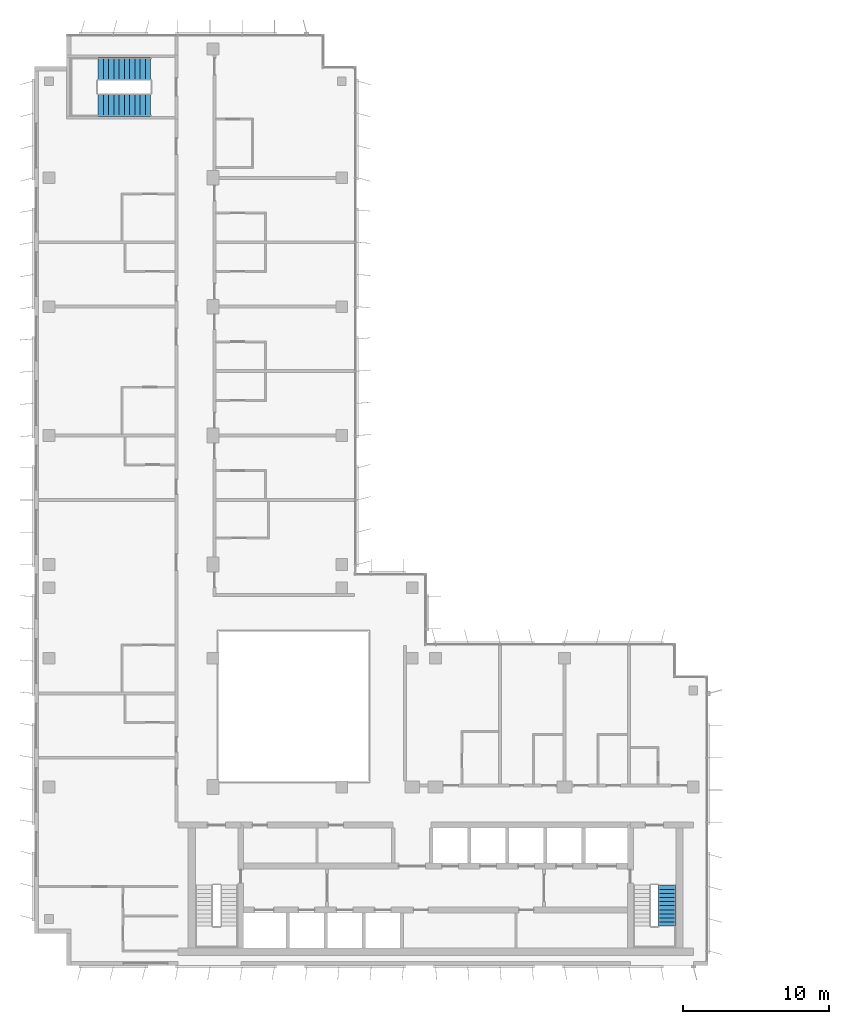
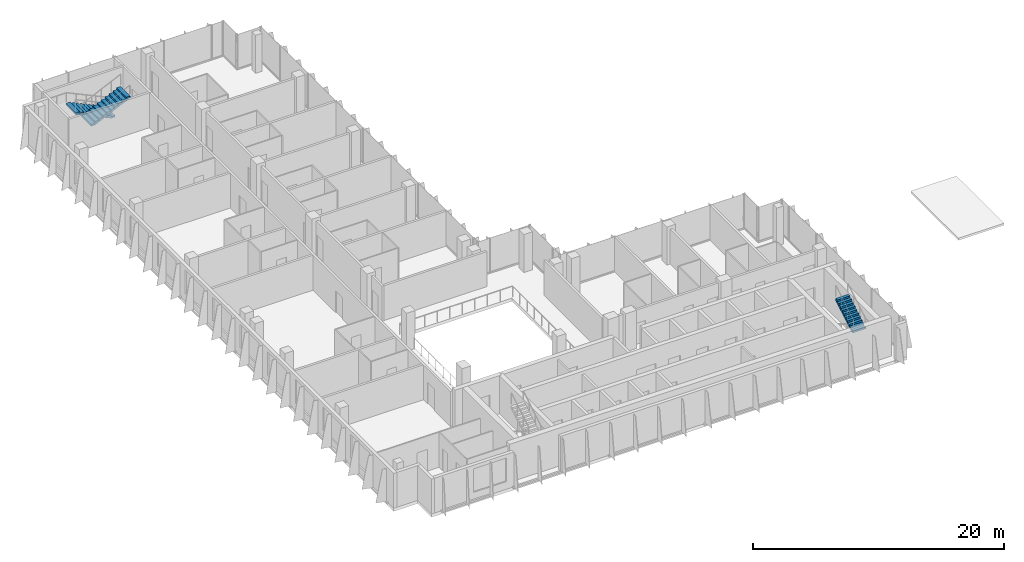
# One storey, part 14 of 17: 3 stair flights, 2 elements without a shape of their own.
"""IFC4 building model written with IfcOpenShell, lengths in metres."""

import ifcopenshell
import ifcopenshell.guid

model = None  # the IFC model being written
_history = None  # IfcOwnerHistory: only IFC2X3 demands one
_inside = {}  # id of a spatial element -> (the spatial element, [elements in it])
_under = {}  # id of a project, library or spatial element -> (it, [spatial elements below it])
_declared = {}  # id of a project -> (the project, [libraries it declares])
_typed = {}  # id of a type object -> (the type object, [elements of that type])
_made_of = {}  # id of a material, layer set ... -> (it, [elements and type objects made of it])


def new_model(schema):
    """Start an empty IFC model of exactly this schema.

    Asked for "IFC4X3", IfcOpenShell would pick the latest addendum, in which some entities
    have other attributes; the version numbers below select the first issue.
    IFC2X3 requires an IfcOwnerHistory on every rooted entity: one is made here for all.
    """
    global model, _history
    if schema == "IFC4X3":
        model = ifcopenshell.file(schema_version=(4, 3, 0, 0))
    else:
        model = ifcopenshell.file(schema=schema)
    _inside.clear()
    _under.clear()
    _declared.clear()
    _typed.clear()
    _made_of.clear()
    _history = None
    if model.schema == "IFC2X3":
        org = make("IfcOrganization", Name="unknown")
        user = make(
            "IfcPersonAndOrganization",
            ThePerson=make("IfcPerson", FamilyName="unknown"),
            TheOrganization=org,
        )
        app = make(
            "IfcApplication",
            ApplicationDeveloper=org,
            Version="unknown",
            ApplicationFullName="unknown",
            ApplicationIdentifier="unknown",
        )
        _history = make(
            "IfcOwnerHistory",
            OwningUser=user,
            OwningApplication=app,
            ChangeAction="ADDED",
            CreationDate=0,
        )
    return model


def make(cls, **values):
    """One entity of the class cls with the attributes given. An attribute that is None is left unset."""
    return model.create_entity(
        cls, **{name: value for name, value in values.items() if value is not None}
    )


def rooted(cls, **values):
    """An entity with a GlobalId (a new one), such as an element, a storey or a relation."""
    return make(cls, GlobalId=ifcopenshell.guid.new(), OwnerHistory=_history, **values)


def si_unit(unit_type, name, prefix=None):
    """IfcSIUnit, for example si_unit("LENGTHUNIT", "METRE", prefix="MILLI")."""
    return make("IfcSIUnit", UnitType=unit_type, Prefix=prefix, Name=name)


def assignment(units):
    """IfcUnitAssignment: the units of a project."""
    return None if units is None else make("IfcUnitAssignment", Units=units)


def point(xyz):
    """IfcCartesianPoint."""
    return None if xyz is None else make("IfcCartesianPoint", Coordinates=xyz)


def direction(xyz):
    """IfcDirection."""
    return None if xyz is None else make("IfcDirection", DirectionRatios=xyz)


def frame(location, z_axis=None, x_axis=None):
    """IfcAxis2Placement3D, a coordinate frame: its origin and axes. An axis left out is left unset."""
    return make(
        "IfcAxis2Placement3D",
        Location=point(location),
        Axis=direction(z_axis),
        RefDirection=direction(x_axis),
    )


def origin():
    """The frame at (0, 0, 0) with its axes left unset."""
    return frame((0.0, 0.0, 0.0))


def place(relative_to, where):
    """IfcLocalPlacement: puts the frame where relative to a parent placement (None: the world)."""
    return make(
        "IfcLocalPlacement", PlacementRelTo=relative_to, RelativePlacement=where
    )


def context(
    kind, dimensions, precision=None, world=None, true_north=None, identifier=None
):
    """IfcGeometricRepresentationContext, for example the 3D "Model" context."""
    return make(
        "IfcGeometricRepresentationContext",
        ContextIdentifier=identifier,
        ContextType=kind,
        CoordinateSpaceDimension=dimensions,
        Precision=precision,
        WorldCoordinateSystem=world,
        TrueNorth=true_north,
    )


def subcontext(parent, identifier, kind, view, scale=None):
    """IfcGeometricRepresentationSubContext, for example "Body" below "Model"."""
    return make(
        "IfcGeometricRepresentationSubContext",
        ContextIdentifier=identifier,
        ContextType=kind,
        ParentContext=parent,
        TargetScale=scale,
        TargetView=view,
    )


def project(units=None, contexts=None):
    """IfcProject with its units and contexts."""
    return rooted(
        "IfcProject",
        Name="project",
        RepresentationContexts=contexts,
        UnitsInContext=assignment(units),
    )


def spatial(cls, under=None, at=None, **own):
    """A site, building, storey or space (cls), placed at a placement, below another one or the project."""
    s = rooted(cls, ObjectPlacement=at, **own)
    if under is not None:
        _under.setdefault(under.id(), (under, []))[1].append(s)
    return s


def polyline(points):
    """IfcPolyline through the points."""
    return make("IfcPolyline", Points=[point(p) for p in points])


def outline(outer, holes=None, kind="AREA"):
    """IfcArbitraryClosedProfileDef: a profile drawn as a closed curve; with holes, ...WithVoids."""
    if holes is None:
        return make("IfcArbitraryClosedProfileDef", ProfileType=kind, OuterCurve=outer)
    return make(
        "IfcArbitraryProfileDefWithVoids",
        ProfileType=kind,
        OuterCurve=outer,
        InnerCurves=holes,
    )


def extrude(swept, where, along, depth):
    """IfcExtrudedAreaSolid: the profile swept, set in the frame where, extruded along a direction by depth."""
    return make(
        "IfcExtrudedAreaSolid",
        SweptArea=swept,
        Position=where,
        ExtrudedDirection=direction(along),
        Depth=depth,
    )


def shape(context_of_items, identifier, shape_type, items):
    """IfcShapeRepresentation: the items that make up one representation, for example the "Body"."""
    return make(
        "IfcShapeRepresentation",
        ContextOfItems=context_of_items,
        RepresentationIdentifier=identifier,
        RepresentationType=shape_type,
        Items=items,
    )


def material(Name=None, Category=None):
    """IfcMaterial."""
    return make("IfcMaterial", Name=Name, Category=Category)


def made_of(thing, what):
    """Note that an element or type object is made of a material, layer set ...; save() writes the relation."""
    if what is not None:
        _made_of.setdefault(what.id(), (what, []))[1].append(thing)
    return thing


def type_object(cls, material=None, **own):
    """A type object (cls), such as IfcWallType, which elements share."""
    return made_of(rooted(cls, **own), material)


def element(
    cls,
    number,
    at=None,
    inside=None,
    cuts=None,
    type_object=None,
    material=None,
    context=None,
    identifier="Body",
    shape_type=None,
    held_by="IfcProductDefinitionShape",
    body=None,
    shapes=None,
    **own,
):
    """One element of the class cls, such as IfcWall. Its Tag is "e" and its number.

    at: its placement. inside: the storey or other place that contains it. cuts: it is an
    opening in that element (IfcRelVoidsElement). A single representation is given by context,
    identifier, shape_type and body (its items); several are given by shapes. held_by: the class
    of the entity that holds the representations. save() writes the other relations.
    """
    e = rooted(cls, Tag="e%d" % number, ObjectPlacement=at, **own)
    if body is not None:
        shapes = [shape(context, identifier, shape_type, body)]
    if shapes is not None:
        e.Representation = make(held_by, Representations=shapes)
    if inside is not None:
        _inside.setdefault(inside.id(), (inside, []))[1].append(e)
    if cuts is not None:
        rooted(
            "IfcRelVoidsElement", RelatingBuildingElement=cuts, RelatedOpeningElement=e
        )
    if type_object is not None:
        _typed.setdefault(type_object.id(), (type_object, []))[1].append(e)
    return made_of(e, material)


def aggregate(whole, parts):
    """IfcRelAggregates: a whole, such as a stair, and the parts it consists of."""
    return rooted("IfcRelAggregates", RelatingObject=whole, RelatedObjects=parts)


def save(model, path):
    """Write the relations noted so far, then the file.

    IfcRelAggregates (storeys below a building ...), IfcRelContainedInSpatialStructure (elements
    in a storey), IfcRelDefinesByType, IfcRelAssociatesMaterial and IfcRelDeclares: one each for
    every whole, place, type object, material and project.
    """
    for whole, parts in _under.values():
        aggregate(whole, parts)
    for where, things in _inside.values():
        rooted(
            "IfcRelContainedInSpatialStructure",
            RelatedElements=things,
            RelatingStructure=where,
        )
    for kind, things in _typed.values():
        rooted("IfcRelDefinesByType", RelatedObjects=things, RelatingType=kind)
    for what, things in _made_of.values():
        rooted("IfcRelAssociatesMaterial", RelatedObjects=things, RelatingMaterial=what)
    for by, libraries in _declared.values():
        rooted("IfcRelDeclares", RelatingContext=by, RelatedDefinitions=libraries)
    model.write(path)


model = new_model("IFC4")

# Units and contexts
model_context = context("Model", 3, precision=1e-05, world=origin(), true_north=direction((0.0, 1.0)))
body_context = subcontext(model_context, "Body", "Model", "MODEL_VIEW")
ifc_project = project(units=[si_unit("LENGTHUNIT", "METRE"), si_unit("AREAUNIT", "SQUARE_METRE"), si_unit("VOLUMEUNIT", "CUBIC_METRE"), si_unit("PLANEANGLEUNIT", "RADIAN"), si_unit("MASSUNIT", "GRAM", prefix="KILO")], contexts=[model_context])

# Site, building, storey
site_placement = place(None, origin())
site = spatial("IfcSite", under=ifc_project, at=site_placement, CompositionType="ELEMENT")
building_placement = place(site_placement, origin())
building = spatial("IfcBuilding", under=site, at=building_placement, Name="Kemantara Hotel Tower", CompositionType="ELEMENT")
storey_placement = place(building_placement, frame((0.0, 0.0, 226.5)))
storey = spatial("IfcBuildingStorey", under=building, at=storey_placement, Name="L56", CompositionType="ELEMENT", Elevation=226.5)

# Stair, stair flight
ifc_material = material(Name="Concrete fc 40 MPa", Category="concrete")
stair_type_1 = type_object("IfcStairType", Name="Stair 1200 wide 22 risers of 168 x 280 mm", PredefinedType="HALF_TURN_STAIR", material=ifc_material)
stair_1_placement = place(storey_placement, origin())
stair_1 = element("IfcStair", 1, at=stair_1_placement, inside=storey, type_object=stair_type_1, Name="L56 Exit stair ST2", PredefinedType="HALF_TURN_STAIR")
stair_flight_type_1 = type_object("IfcStairFlightType", Name="Stair flight 1200 wide 168 x 280 mm", PredefinedType="STRAIGHT", material=ifc_material)
stair_flight_1_placement = place(storey_placement, frame((43.199951171875, 2.699951171875, 1.85009765625), z_axis=(0.0, 0.0, 1.0), x_axis=(0.0, 1.0, 0.0)))
stair_flight_1 = element("IfcStairFlight", 2, at=stair_flight_1_placement, type_object=stair_flight_type_1, Name="ST2 flight 2", NumberOfRisers=11, NumberOfTreads=10, PredefinedType="STRAIGHT", RiserHeight=0.168181818, TreadLength=0.28, context=body_context, shape_type="SweptSolid", body=[
    extrude(outline(polyline([(0.0, 0.0), (0.0, 0.168212890625), (0.280029296875, 0.168212890625), (0.280029296875, 0.33642578125), (0.56005859375, 0.33642578125), (0.56005859375, 0.504638671875), (0.840087890625, 0.504638671875), (0.840087890625, 0.672607421875), (1.1201171875, 0.672607421875), (1.1201171875, 0.8408203125), (1.39990234375, 0.8408203125), (1.39990234375, 1.009033203125), (1.679931640625, 1.009033203125), (1.679931640625, 1.17724609375), (1.9599609375, 1.17724609375), (1.9599609375, 1.345458984375), (2.239990234375, 1.345458984375), (2.239990234375, 1.513671875), (2.52001953125, 1.513671875), (2.52001953125, 1.681884765625), (2.800048828125, 1.681884765625), (2.800048828125, 1.85009765625), (2.800048828125, 1.5068359375), (0.291015625, 0.0), (0.0, 0.0)])), frame((0.0, 0.60009765625, 0.0), z_axis=(0.0, -1.0, 0.0), x_axis=(1.0, 0.0, 0.0)), (0.0, 0.0, 1.0), 1.199951171875),
])
aggregate(stair_1, [stair_flight_1])

# Stair, stair flights
stair_type_2 = type_object("IfcStairType", Name="Stair 1550 wide 22 risers of 168 x 360 mm", PredefinedType="HALF_TURN_STAIR", material=ifc_material)
stair_2_placement = place(storey_placement, origin())
stair_2 = element("IfcStair", 3, at=stair_2_placement, inside=storey, type_object=stair_type_2, Name="L56 Exit stair ST4", PredefinedType="HALF_TURN_STAIR")
stair_flight_type_2 = type_object("IfcStairFlightType", Name="Stair flight 1550 wide 168 x 360 mm", PredefinedType="STRAIGHT", material=ifc_material)
stair_flight_2_placement = place(storey_placement, frame((7.949951171875, 61.22509765625, 0.0), z_axis=(0.0, 0.0, 1.0), x_axis=(-1.0, 0.0, 0.0)))
stair_flight_2 = element("IfcStairFlight", 4, at=stair_flight_2_placement, type_object=stair_flight_type_2, Name="ST4 flight 1", NumberOfRisers=11, NumberOfTreads=10, PredefinedType="STRAIGHT", RiserHeight=0.168181818, TreadLength=0.36, context=body_context, shape_type="SweptSolid", body=[
    extrude(outline(polyline([(0.0, 0.0), (0.0, 0.168212890625), (0.360107421875, 0.168212890625), (0.360107421875, 0.33642578125), (0.719970703125, 0.33642578125), (0.719970703125, 0.504638671875), (1.080078125, 0.504638671875), (1.080078125, 0.672607421875), (1.43994140625, 0.672607421875), (1.43994140625, 0.8408203125), (1.800048828125, 0.8408203125), (1.800048828125, 1.009033203125), (2.159912109375, 1.009033203125), (2.159912109375, 1.17724609375), (2.52001953125, 1.17724609375), (2.52001953125, 1.345458984375), (2.8798828125, 1.345458984375), (2.8798828125, 1.513671875), (3.239990234375, 1.513671875), (3.239990234375, 1.681884765625), (3.60009765625, 1.681884765625), (3.60009765625, 1.85009765625), (3.60009765625, 1.516357421875), (0.354248046875, 0.0), (0.0, 0.0)])), frame((0.0, 0.77490234375, 0.0), z_axis=(0.0, -1.0, 0.0), x_axis=(1.0, 0.0, 0.0)), (0.0, 0.0, 1.0), 1.550048828125),
])
stair_flight_3_placement = place(storey_placement, frame((4.35009765625, 58.77490234375, 1.85009765625), z_axis=(0.0, 0.0, 1.0), x_axis=(1.0, 0.0, 0.0)))
stair_flight_3 = element("IfcStairFlight", 5, at=stair_flight_3_placement, type_object=stair_flight_type_2, Name="ST4 flight 2", NumberOfRisers=11, NumberOfTreads=10, PredefinedType="STRAIGHT", RiserHeight=0.168181818, TreadLength=0.36, context=body_context, shape_type="SweptSolid", body=[
    extrude(outline(polyline([(0.0, 0.0), (0.0, 0.168212890625), (0.360107421875, 0.168212890625), (0.360107421875, 0.33642578125), (0.719970703125, 0.33642578125), (0.719970703125, 0.504638671875), (1.080078125, 0.504638671875), (1.080078125, 0.672607421875), (1.43994140625, 0.672607421875), (1.43994140625, 0.8408203125), (1.800048828125, 0.8408203125), (1.800048828125, 1.009033203125), (2.159912109375, 1.009033203125), (2.159912109375, 1.17724609375), (2.52001953125, 1.17724609375), (2.52001953125, 1.345458984375), (2.8798828125, 1.345458984375), (2.8798828125, 1.513671875), (3.239990234375, 1.513671875), (3.239990234375, 1.681884765625), (3.60009765625, 1.681884765625), (3.60009765625, 1.85009765625), (3.60009765625, 1.516357421875), (0.354248046875, 0.0), (0.0, 0.0)])), frame((0.0, 0.77490234375, 0.0), z_axis=(0.0, -1.0, 0.0), x_axis=(1.0, 0.0, 0.0)), (0.0, 0.0, 1.0), 1.550048828125),
])
aggregate(stair_2, [stair_flight_2, stair_flight_3])

save(model, "model.ifc")
